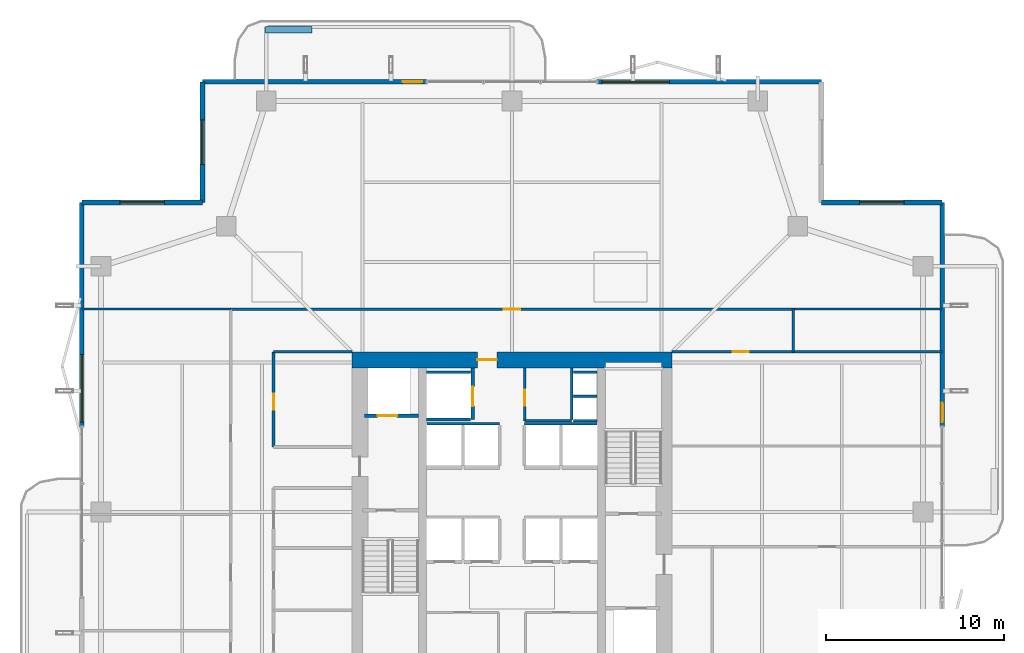
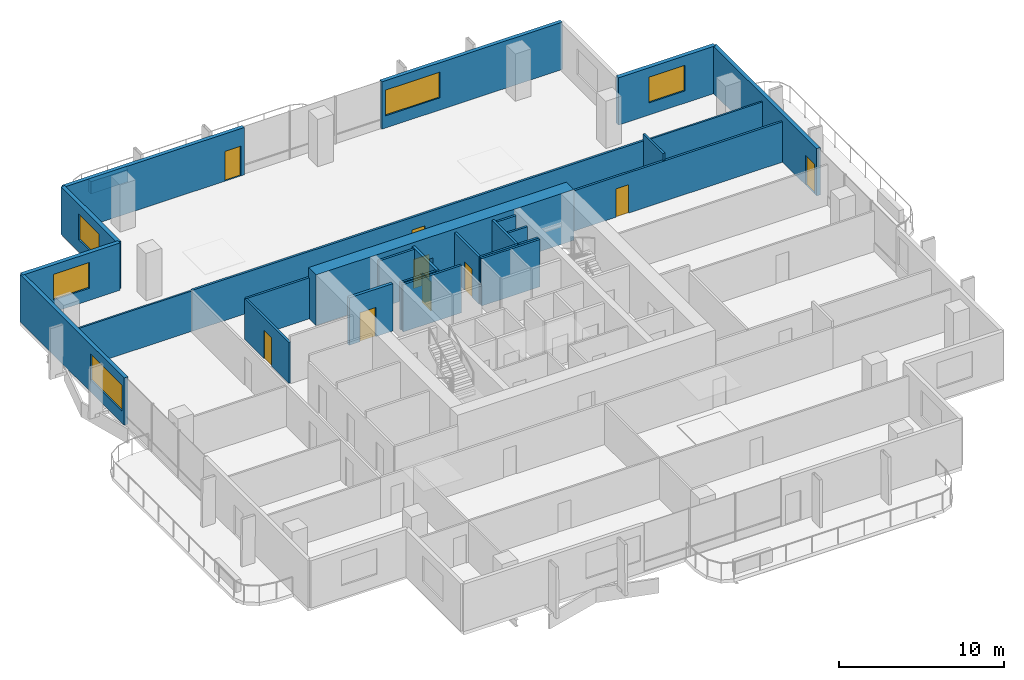
# One storey, part 20 of 24: 28 walls, 9 doors, 5 windows, 14 openings.
"""IFC4 building model written with IfcOpenShell, lengths in metres."""

from ifc_helpers import new_model, si_unit, direction, frame, frame_2d, origin, place, context, subcontext, project, spatial, rectangle, extrude, material, layer, layer_set, type_object, element, fill, save


model = new_model("IFC4")

# Units and contexts
model_context = context("Model", 3, precision=1e-05, world=origin(), true_north=direction((0.0, 1.0)))
body_context = subcontext(model_context, "Body", "Model", "MODEL_VIEW")
ifc_project = project(units=[si_unit("LENGTHUNIT", "METRE"), si_unit("AREAUNIT", "SQUARE_METRE"), si_unit("VOLUMEUNIT", "CUBIC_METRE"), si_unit("PLANEANGLEUNIT", "RADIAN"), si_unit("MASSUNIT", "GRAM", prefix="KILO")], contexts=[model_context])

# Site, building, storey
site_placement = place(None, origin())
site = spatial("IfcSite", under=ifc_project, at=site_placement, CompositionType="ELEMENT")
building_placement = place(site_placement, origin())
building = spatial("IfcBuilding", under=site, at=building_placement, Name="Belovzor Exchange Tower", CompositionType="ELEMENT")
storey_placement = place(building_placement, frame((0.0, 0.0, 179.550048828125)))
storey = spatial("IfcBuildingStorey", under=building, at=storey_placement, Name="L44", CompositionType="ELEMENT", Elevation=179.550048828125)

# Walls
ifc_material_1 = material(Name="Acoustic Plasterboard on Galvanised Studs", Category="gypsum")
ifc_layer_1 = layer(ifc_material_1, 0.1201171875)
ifc_layer_set_1 = layer_set([ifc_layer_1], Name="Acoustic Plasterboard on Galvanised Studs")
wall_type_1 = type_object("IfcWallType", Name="Acoustic Double-Stud Partition Wall 120", PredefinedType="PARTITIONING", material=ifc_layer_set_1)
wall_1_placement = place(storey_placement, frame((4.6298828125, 40.199951171875, 0.0), z_axis=(0.0, 0.0, 1.0), x_axis=(1.0, 0.0, 0.0)))
element("IfcWall", 1, at=wall_1_placement, inside=storey, type_object=wall_type_1, Name="W-P120 Partition Wall W-L44-END-NW", PredefinedType="PARTITIONING", context=body_context, shape_type="SweptSolid", body=[
    extrude(rectangle(XDim=8.3701171875, YDim=0.1201171875, at=frame_2d((4.18505859375, 0.0))), origin(), (0.0, 0.0, 1.0), 2.97998046875),
])
wall_2_placement = place(storey_placement, frame((44.60009765625, 40.199951171875, 0.0), z_axis=(0.0, 0.0, 1.0), x_axis=(1.0, 0.0, 0.0)))
element("IfcWall", 2, at=wall_2_placement, inside=storey, type_object=wall_type_1, Name="W-P120 Partition Wall W-L44-END-NE", PredefinedType="PARTITIONING", context=body_context, shape_type="SweptSolid", body=[
    extrude(rectangle(XDim=8.369873046875, YDim=0.1201171875, at=frame_2d((4.18505859375, 0.0))), origin(), (0.0, 0.0, 1.0), 2.97998046875),
])

# Wall, opening, door
ifc_material_2 = material(Name="Fire-Rated Gypsum Block and Mineral Wool", Category="gypsum")
ifc_layer_2 = layer(ifc_material_2, 0.14990234375)
ifc_layer_set_2 = layer_set([ifc_layer_2], Name="Fire-Rated Gypsum Block and Mineral Wool")
wall_type_2 = type_object("IfcWallType", Name="Fire-Rated Gypsum Block Corridor Wall 150", PredefinedType="PARTITIONING", material=ifc_layer_set_2)
wall_3_placement = place(storey_placement, frame((29.52490234375, 33.925048828125, 0.0), z_axis=(0.0, 0.0, 1.0), x_axis=(0.0, 1.0, 0.0)))
wall_3 = element("IfcWall", 3, at=wall_3_placement, inside=storey, type_object=wall_type_2, Name="W-P150 Partition Wall W-CRV-L44-W", PredefinedType="PARTITIONING", context=body_context, shape_type="SweptSolid", body=[
    extrude(rectangle(XDim=2.974853515625, YDim=0.14990234375, at=frame_2d((1.4873046875, 0.0))), origin(), (0.0, 0.0, 1.0), 3.494873046875),
])
opening_1_placement = place(wall_3_placement, frame((0.85009765625, 0.0, 0.0)))
opening_1 = element("IfcOpeningElement", 4, at=opening_1_placement, cuts=wall_3, Name="Opening D-FD60-090", PredefinedType="OPENING", context=body_context, shape_type="SweptSolid", body=[
    extrude(rectangle(XDim=0.89990234375, YDim=2.10009765625, at=frame_2d((0.449951171875, 1.050048828125))), frame((0.0, 0.0849609375, 0.0), z_axis=(0.0, -1.0, 0.0), x_axis=(1.0, 0.0, 0.0)), (0.0, 0.0, 1.0), 0.169921875),
])
ifc_material_3 = material(Name="Acoustic Timber Fire Leaf", Category="wood")
door_type_1 = type_object("IfcDoorType", Name="Core Service & Restroom Fire Door 900x2100", OperationType="NOTDEFINED", PredefinedType="DOOR", material=ifc_material_3)
door_1_placement = place(opening_1_placement, origin())
door_1 = element("IfcDoor", 5, at=door_1_placement, inside=storey, type_object=door_type_1, Name="D-FD60-090 Core Service & Restroom Fire Door 900x2100", OperationType="SINGLE_SWING_LEFT", OverallHeight=2.10009765625, OverallWidth=0.89990234375, PredefinedType="DOOR", context=body_context, shape_type="SweptSolid", body=[
    extrude(rectangle(XDim=0.89990234375, YDim=2.10009765625, at=frame_2d((0.449951171875, 1.050048828125))), frame((0.0, 0.02490234375, 0.0), z_axis=(0.0, -1.0, 0.0), x_axis=(1.0, 0.0, 0.0)), (0.0, 0.0, 1.0), 0.050048828125),
])
fill(opening_1, door_1)

# Walls
wall_4_placement = place(storey_placement, frame((29.52490234375, 33.925048828125, 0.0), z_axis=(0.0, 0.0, 1.0), x_axis=(1.0, 0.0, 0.0)))
element("IfcWall", 6, at=wall_4_placement, inside=storey, type_object=wall_type_2, Name="W-P150 Partition Wall W-CRV-L44-S", PredefinedType="PARTITIONING", context=body_context, shape_type="SweptSolid", body=[
    extrude(rectangle(XDim=2.625, YDim=0.14990234375, at=frame_2d((1.3125, 0.0))), origin(), (0.0, 0.0, 1.0), 3.494873046875),
])
wall_5_placement = place(storey_placement, frame((15.39990234375, 37.800048828125, 0.0), z_axis=(0.0, 0.0, 1.0), x_axis=(1.0, 0.0, 0.0)))
element("IfcWall", 7, at=wall_5_placement, inside=storey, type_object=wall_type_2, Name="W-P150 Partition Wall W-L44-INW-N", PredefinedType="PARTITIONING", context=body_context, shape_type="SweptSolid", body=[
    extrude(rectangle(XDim=4.400146484375, YDim=0.14990234375, at=frame_2d((2.2001953125, 0.0))), origin(), (0.0, 0.0, 1.0), 3.030029296875),
])

# Wall, opening, door
wall_6_placement = place(storey_placement, frame((15.39990234375, 32.449951171875, 0.0), z_axis=(0.0, 0.0, 1.0), x_axis=(0.0, 1.0, 0.0)))
wall_6 = element("IfcWall", 8, at=wall_6_placement, inside=storey, type_object=wall_type_2, Name="W-P150 Partition Wall W-L44-WIE-N", PredefinedType="PARTITIONING", context=body_context, shape_type="SweptSolid", body=[
    extrude(rectangle(XDim=5.35009765625, YDim=0.14990234375, at=frame_2d((2.675048828125, 0.0))), origin(), (0.0, 0.0, 1.0), 3.030029296875),
])
opening_2_placement = place(wall_6_placement, frame((2.10009765625, 0.0, 0.0)))
opening_2 = element("IfcOpeningElement", 9, at=opening_2_placement, cuts=wall_6, Name="Opening D-FD60-090", PredefinedType="OPENING", context=body_context, shape_type="SweptSolid", body=[
    extrude(rectangle(XDim=0.89990234375, YDim=2.10009765625, at=frame_2d((0.449951171875, 1.050048828125))), frame((0.0, 0.0849609375, 0.0), z_axis=(0.0, -1.0, 0.0), x_axis=(1.0, 0.0, 0.0)), (0.0, 0.0, 1.0), 0.169921875),
])
door_2_placement = place(opening_2_placement, origin())
door_2 = element("IfcDoor", 10, at=door_2_placement, inside=storey, type_object=door_type_1, Name="D-FD60-090 Core Service & Restroom Fire Door 900x2100", OperationType="SINGLE_SWING_LEFT", OverallHeight=2.10009765625, OverallWidth=0.89990234375, PredefinedType="DOOR", context=body_context, shape_type="SweptSolid", body=[
    extrude(rectangle(XDim=0.89990234375, YDim=2.10009765625, at=frame_2d((0.449951171875, 1.050048828125))), frame((0.0, 0.02490234375, 0.0), z_axis=(0.0, -1.0, 0.0), x_axis=(1.0, 0.0, 0.0)), (0.0, 0.0, 1.0), 0.050048828125),
])
fill(opening_2, door_2)

# Wall
wall_7_placement = place(storey_placement, frame((44.60009765625, 37.800048828125, 0.0), z_axis=(0.0, 0.0, 1.0), x_axis=(0.0, 1.0, 0.0)))
element("IfcWall", 11, at=wall_7_placement, inside=storey, type_object=wall_type_2, Name="W-P150 Partition Wall W-L44-END-EN", PredefinedType="PARTITIONING", context=body_context, shape_type="SweptSolid", body=[
    extrude(rectangle(XDim=2.39990234375, YDim=0.14990234375, at=frame_2d((1.199951171875, 0.0))), origin(), (0.0, 0.0, 1.0), 3.494873046875),
])

# Wall, opening, door
wall_8_placement = place(storey_placement, frame((37.800048828125, 37.800048828125, 0.0), z_axis=(0.0, 0.0, 1.0), x_axis=(1.0, 0.0, 0.0)))
wall_8 = element("IfcWall", 12, at=wall_8_placement, inside=storey, type_object=wall_type_2, Name="W-P150 Partition Wall W-L44-CN-IN", PredefinedType="PARTITIONING", context=body_context, shape_type="SweptSolid", body=[
    extrude(rectangle(XDim=15.169921875, YDim=0.14990234375, at=frame_2d((7.5849609375, 0.0))), origin(), (0.0, 0.0, 1.0), 2.97998046875),
])
opening_3_placement = place(wall_8_placement, frame((3.39990234375, 0.0, 0.0)))
opening_3 = element("IfcOpeningElement", 13, at=opening_3_placement, cuts=wall_8, Name="Opening D-INT-090", PredefinedType="OPENING", context=body_context, shape_type="SweptSolid", body=[
    extrude(rectangle(XDim=0.89990234375, YDim=2.10009765625, at=frame_2d((0.449951171875, 1.050048828125))), frame((0.0, 0.0849609375, 0.0), z_axis=(0.0, -1.0, 0.0), x_axis=(1.0, 0.0, 0.0)), (0.0, 0.0, 1.0), 0.169921875),
])
ifc_material_4 = material(Name="Veneered Hardwood Acoustic Leaf", Category="wood")
door_type_2 = type_object("IfcDoorType", Name="Trading Suite Acoustic Single Door 900x2100", OperationType="NOTDEFINED", PredefinedType="DOOR", material=ifc_material_4)
door_3_placement = place(opening_3_placement, origin())
door_3 = element("IfcDoor", 14, at=door_3_placement, inside=storey, type_object=door_type_2, Name="D-INT-090 Trading Suite Acoustic Single Door 900x2100", OperationType="SINGLE_SWING_RIGHT", OverallHeight=2.10009765625, OverallWidth=0.89990234375, PredefinedType="DOOR", context=body_context, shape_type="SweptSolid", body=[
    extrude(rectangle(XDim=0.89990234375, YDim=2.10009765625, at=frame_2d((0.449951171875, 1.050048828125))), frame((0.0, 0.02490234375, 0.0), z_axis=(0.0, -1.0, 0.0), x_axis=(1.0, 0.0, 0.0)), (0.0, 0.0, 1.0), 0.050048828125),
])
fill(opening_3, door_3)

wall_9_placement = place(storey_placement, frame((13.0, 40.199951171875, 0.0), z_axis=(0.0, 0.0, 1.0), x_axis=(1.0, 0.0, 0.0)))
wall_9 = element("IfcWall", 15, at=wall_9_placement, inside=storey, type_object=wall_type_2, Name="W-P150 Partition Wall W-L44-CN", PredefinedType="PARTITIONING", context=body_context, shape_type="SweptSolid", body=[
    extrude(rectangle(XDim=31.60009765625, YDim=0.14990234375, at=frame_2d((15.800048828125, 0.0))), origin(), (0.0, 0.0, 1.0), 3.030029296875),
])
opening_4_placement = place(wall_9_placement, frame((15.35009765625, 0.0, 0.0)))
opening_4 = element("IfcOpeningElement", 16, at=opening_4_placement, cuts=wall_9, Name="Opening D-INT-090", PredefinedType="OPENING", context=body_context, shape_type="SweptSolid", body=[
    extrude(rectangle(XDim=0.89990234375, YDim=2.10009765625, at=frame_2d((0.449951171875, 1.050048828125))), frame((0.0, 0.0849609375, 0.0), z_axis=(0.0, -1.0, 0.0), x_axis=(1.0, 0.0, 0.0)), (0.0, 0.0, 1.0), 0.169921875),
])
door_4_placement = place(opening_4_placement, origin())
door_4 = element("IfcDoor", 17, at=door_4_placement, inside=storey, type_object=door_type_2, Name="D-INT-090 Trading Suite Acoustic Single Door 900x2100", OperationType="SINGLE_SWING_LEFT", OverallHeight=2.10009765625, OverallWidth=0.89990234375, PredefinedType="DOOR", context=body_context, shape_type="SweptSolid", body=[
    extrude(rectangle(XDim=0.89990234375, YDim=2.10009765625, at=frame_2d((0.449951171875, 1.050048828125))), frame((0.0, 0.02490234375, 0.0), z_axis=(0.0, -1.0, 0.0), x_axis=(1.0, 0.0, 0.0)), (0.0, 0.0, 1.0), 0.050048828125),
])
fill(opening_4, door_4)

# Wall, opening, window
ifc_material_5 = material(Name="Precast concrete C40/50", Category="concrete")
ifc_layer_3 = layer(ifc_material_5, 0.280029296875)
ifc_layer_set_3 = layer_set([ifc_layer_3], Name="Precast concrete C40/50")
wall_type_3 = type_object("IfcWallType", Name="Precast Concrete Notched Corner Frame Wall 280", PredefinedType="SOLIDWALL", material=ifc_layer_set_3)
wall_10_placement = place(storey_placement, frame((4.6298828125, 46.199951171875, 0.0), z_axis=(0.0, 0.0, 1.0), x_axis=(1.0, 0.0, 0.0)))
wall_10 = element("IfcWall", 18, at=wall_10_placement, inside=storey, type_object=wall_type_3, Name="W-CRN280 Precast Concrete Notched Corner Frame Wall 280 L44", PredefinedType="SOLIDWALL", context=body_context, shape_type="SweptSolid", body=[
    extrude(rectangle(XDim=6.77001953125, YDim=0.280029296875, at=frame_2d((3.385009765625, 0.0))), origin(), (0.0, 0.0, 1.0), 3.494873046875),
])
opening_5_placement = place(wall_10_placement, frame((2.135009765625, 0.0, 0.89990234375)))
opening_5 = element("IfcOpeningElement", 19, at=opening_5_placement, cuts=wall_10, Name="Opening WN-CRN250", PredefinedType="OPENING", context=body_context, shape_type="SweptSolid", body=[
    extrude(rectangle(XDim=2.5, YDim=1.89990234375, at=frame_2d((1.25, 0.949951171875))), frame((0.0, 0.14990234375, 0.0), z_axis=(0.0, -1.0, 0.0), x_axis=(1.0, 0.0, 0.0)), (0.0, 0.0, 1.0), 0.300048828125),
])
ifc_material_6 = material(Name="Thermally Broken Aluminium and Triple Glazing", Category="aluminium")
window_type_1 = type_object("IfcWindowType", Name="Streamline Moderne Corner Wrap Ribbon Window 2500x1900", PartitioningType="SINGLE_PANEL", PredefinedType="WINDOW", material=ifc_material_6)
window_1_placement = place(opening_5_placement, origin())
window_1 = element("IfcWindow", 20, at=window_1_placement, inside=storey, type_object=window_type_1, Name="WN-CRN250 Streamline Moderne Corner Wrap Ribbon Window 2500x1900", OverallHeight=1.89990234375, OverallWidth=2.5, PartitioningType="SINGLE_PANEL", PredefinedType="WINDOW", context=body_context, shape_type="SweptSolid", body=[
    extrude(rectangle(XDim=2.5, YDim=1.89990234375, at=frame_2d((1.25, 0.949951171875))), frame((0.0, 0.030029296875, 0.0), z_axis=(0.0, -1.0, 0.0), x_axis=(1.0, 0.0, 0.0)), (0.0, 0.0, 1.0), 0.06005859375),
])
fill(opening_5, window_1)

wall_11_placement = place(storey_placement, frame((11.39990234375, 46.199951171875, 0.0), z_axis=(0.0, 0.0, 1.0), x_axis=(0.0, 1.0, 0.0)))
wall_11 = element("IfcWall", 21, at=wall_11_placement, inside=storey, type_object=wall_type_3, Name="W-CRN280 Precast Concrete Notched Corner Frame Wall 280 L44", PredefinedType="SOLIDWALL", context=body_context, shape_type="SweptSolid", body=[
    extrude(rectangle(XDim=6.77001953125, YDim=0.280029296875, at=frame_2d((3.385009765625, 0.0))), origin(), (0.0, 0.0, 1.0), 3.494873046875),
])
opening_6_placement = place(wall_11_placement, frame((2.135009765625, 0.0, 0.89990234375)))
opening_6 = element("IfcOpeningElement", 22, at=opening_6_placement, cuts=wall_11, Name="Opening WN-CRN250", PredefinedType="OPENING", context=body_context, shape_type="SweptSolid", body=[
    extrude(rectangle(XDim=2.5, YDim=1.89990234375, at=frame_2d((1.25, 0.949951171875))), frame((0.0, 0.14990234375, 0.0), z_axis=(0.0, -1.0, 0.0), x_axis=(1.0, 0.0, 0.0)), (0.0, 0.0, 1.0), 0.300048828125),
])
window_2_placement = place(opening_6_placement, origin())
window_2 = element("IfcWindow", 23, at=window_2_placement, inside=storey, type_object=window_type_1, Name="WN-CRN250 Streamline Moderne Corner Wrap Ribbon Window 2500x1900", OverallHeight=1.89990234375, OverallWidth=2.5, PartitioningType="SINGLE_PANEL", PredefinedType="WINDOW", context=body_context, shape_type="SweptSolid", body=[
    extrude(rectangle(XDim=2.5, YDim=1.89990234375, at=frame_2d((1.25, 0.949951171875))), frame((0.0, 0.030029296875, 0.0), z_axis=(0.0, -1.0, 0.0), x_axis=(1.0, 0.0, 0.0)), (0.0, 0.0, 1.0), 0.06005859375),
])
fill(opening_6, window_2)

wall_12_placement = place(storey_placement, frame((46.199951171875, 46.199951171875, 0.0), z_axis=(0.0, 0.0, 1.0), x_axis=(1.0, 0.0, 0.0)))
wall_12 = element("IfcWall", 24, at=wall_12_placement, inside=storey, type_object=wall_type_3, Name="W-CRN280 Precast Concrete Notched Corner Frame Wall 280 L44", PredefinedType="SOLIDWALL", context=body_context, shape_type="SweptSolid", body=[
    extrude(rectangle(XDim=6.77001953125, YDim=0.280029296875, at=frame_2d((3.385009765625, 0.0))), origin(), (0.0, 0.0, 1.0), 3.494873046875),
])
opening_7_placement = place(wall_12_placement, frame((2.135009765625, 0.0, 0.89990234375)))
opening_7 = element("IfcOpeningElement", 25, at=opening_7_placement, cuts=wall_12, Name="Opening WN-CRN250", PredefinedType="OPENING", context=body_context, shape_type="SweptSolid", body=[
    extrude(rectangle(XDim=2.5, YDim=1.89990234375, at=frame_2d((1.25, 0.949951171875))), frame((0.0, 0.14990234375, 0.0), z_axis=(0.0, -1.0, 0.0), x_axis=(1.0, 0.0, 0.0)), (0.0, 0.0, 1.0), 0.300048828125),
])
window_3_placement = place(opening_7_placement, origin())
window_3 = element("IfcWindow", 26, at=window_3_placement, inside=storey, type_object=window_type_1, Name="WN-CRN250 Streamline Moderne Corner Wrap Ribbon Window 2500x1900", OverallHeight=1.89990234375, OverallWidth=2.5, PartitioningType="SINGLE_PANEL", PredefinedType="WINDOW", context=body_context, shape_type="SweptSolid", body=[
    extrude(rectangle(XDim=2.5, YDim=1.89990234375, at=frame_2d((1.25, 0.949951171875))), frame((0.0, 0.030029296875, 0.0), z_axis=(0.0, -1.0, 0.0), x_axis=(1.0, 0.0, 0.0)), (0.0, 0.0, 1.0), 0.06005859375),
])
fill(opening_7, window_3)

# Wall, opening, door
ifc_material_7 = material(Name="Precast concrete C40/50", Category="concrete")
ifc_layer_4 = layer(ifc_material_7, 0.260009765625)
ifc_layer_set_4 = layer_set([ifc_layer_4], Name="Precast concrete C40/50")
wall_type_4 = type_object("IfcWallType", Name="Precast Concrete Perimeter Loggia Frame Wall 260", PredefinedType="SOLIDWALL", material=ifc_layer_set_4)
wall_13_placement = place(storey_placement, frame((11.39990234375, 52.969970703125, 0.0), z_axis=(0.0, 0.0, 1.0), x_axis=(1.0, 0.0, 0.0)))
wall_13 = element("IfcWall", 27, at=wall_13_placement, inside=storey, type_object=wall_type_4, Name="W-EXT260 Precast Concrete Perimeter Loggia Frame Wall 260 L44", PredefinedType="SOLIDWALL", context=body_context, shape_type="SweptSolid", body=[
    extrude(rectangle(XDim=12.60009765625, YDim=0.260009765625, at=frame_2d((6.300048828125, 0.0))), origin(), (0.0, 0.0, 1.0), 3.494873046875),
])
opening_8_placement = place(wall_13_placement, frame((11.25, 0.0, 0.0)))
opening_8 = element("IfcOpeningElement", 28, at=opening_8_placement, cuts=wall_13, Name="Opening D-BAL110", PredefinedType="OPENING", context=body_context, shape_type="SweptSolid", body=[
    extrude(rectangle(XDim=1.10009765625, YDim=2.199951171875, at=frame_2d((0.550048828125, 1.10009765625))), frame((0.0, 0.139892578125, 0.0), z_axis=(0.0, -1.0, 0.0), x_axis=(1.0, 0.0, 0.0)), (0.0, 0.0, 1.0), 0.280029296875),
])
ifc_material_8 = material(Name="Thermally Broken Anodised Aluminium and Laminated Glass", Category="aluminium")
door_type_3 = type_object("IfcDoorType", Name="Planted Loggia Terrace Glazed Door 1100x2200", OperationType="SINGLE_SWING_LEFT", PredefinedType="DOOR", material=ifc_material_8)
door_5_placement = place(opening_8_placement, origin())
door_5 = element("IfcDoor", 29, at=door_5_placement, inside=storey, type_object=door_type_3, Name="D-BAL110 Balcony Terrace Door L44 N", OperationType="SINGLE_SWING_RIGHT", OverallHeight=2.199951171875, OverallWidth=1.10009765625, PredefinedType="DOOR", context=body_context, shape_type="SweptSolid", body=[
    extrude(rectangle(XDim=1.10009765625, YDim=2.199951171875, at=frame_2d((0.550048828125, 1.10009765625))), frame((0.0, 0.02490234375, 0.0), z_axis=(0.0, -1.0, 0.0), x_axis=(1.0, 0.0, 0.0)), (0.0, 0.0, 1.0), 0.050048828125),
])
fill(opening_8, door_5)

# Wall, opening, window
wall_14_placement = place(storey_placement, frame((33.60009765625, 52.969970703125, 0.0), z_axis=(0.0, 0.0, 1.0), x_axis=(1.0, 0.0, 0.0)))
wall_14 = element("IfcWall", 30, at=wall_14_placement, inside=storey, type_object=wall_type_4, Name="W-EXT260 Precast Concrete Perimeter Loggia Frame Wall 260 L44", PredefinedType="SOLIDWALL", context=body_context, shape_type="SweptSolid", body=[
    extrude(rectangle(XDim=12.599853515625, YDim=0.260009765625, at=frame_2d((6.2998046875, 0.0))), origin(), (0.0, 0.0, 1.0), 3.494873046875),
])
opening_9_placement = place(wall_14_placement, frame((0.25, 0.0, 0.89990234375)))
opening_9 = element("IfcOpeningElement", 31, at=opening_9_placement, cuts=wall_14, Name="Opening WN-RIB380", PredefinedType="OPENING", context=body_context, shape_type="SweptSolid", body=[
    extrude(rectangle(XDim=3.800048828125, YDim=1.89990234375, at=frame_2d((1.89990234375, 0.949951171875))), frame((0.0, 0.139892578125, 0.0), z_axis=(0.0, -1.0, 0.0), x_axis=(1.0, 0.0, 0.0)), (0.0, 0.0, 1.0), 0.280029296875),
])
ifc_material_9 = material(Name="Thermally Broken Aluminium and Triple Glazing", Category="aluminium")
window_type_2 = type_object("IfcWindowType", Name="Streamline Moderne Horizontal Ribbon Window 3800x1900", PartitioningType="SINGLE_PANEL", PredefinedType="WINDOW", material=ifc_material_9)
window_4_placement = place(opening_9_placement, origin())
window_4 = element("IfcWindow", 32, at=window_4_placement, inside=storey, type_object=window_type_2, Name="WN-RIB380 Streamline Moderne Horizontal Ribbon Window 3800x1900", OverallHeight=1.89990234375, OverallWidth=3.800048828125, PartitioningType="SINGLE_PANEL", PredefinedType="WINDOW", context=body_context, shape_type="SweptSolid", body=[
    extrude(rectangle(XDim=3.800048828125, YDim=1.89990234375, at=frame_2d((1.89990234375, 0.949951171875))), frame((0.0, 0.030029296875, 0.0), z_axis=(0.0, -1.0, 0.0), x_axis=(1.0, 0.0, 0.0)), (0.0, 0.0, 1.0), 0.06005859375),
])
fill(opening_9, window_4)

wall_15_placement = place(storey_placement, frame((4.6298828125, 33.60009765625, 0.0), z_axis=(0.0, 0.0, 1.0), x_axis=(0.0, 1.0, 0.0)))
wall_15 = element("IfcWall", 33, at=wall_15_placement, inside=storey, type_object=wall_type_4, Name="W-EXT260 Precast Concrete Perimeter Loggia Frame Wall 260 L44", PredefinedType="SOLIDWALL", context=body_context, shape_type="SweptSolid", body=[
    extrude(rectangle(XDim=12.599853515625, YDim=0.260009765625, at=frame_2d((6.2998046875, 0.0))), origin(), (0.0, 0.0, 1.0), 3.494873046875),
])
opening_10_placement = place(wall_15_placement, frame((0.25, 0.0, 0.89990234375)))
opening_10 = element("IfcOpeningElement", 34, at=opening_10_placement, cuts=wall_15, Name="Opening WN-RIB380", PredefinedType="OPENING", context=body_context, shape_type="SweptSolid", body=[
    extrude(rectangle(XDim=3.800048828125, YDim=1.89990234375, at=frame_2d((1.89990234375, 0.949951171875))), frame((0.0, 0.139892578125, 0.0), z_axis=(0.0, -1.0, 0.0), x_axis=(1.0, 0.0, 0.0)), (0.0, 0.0, 1.0), 0.280029296875),
])
window_5_placement = place(opening_10_placement, origin())
window_5 = element("IfcWindow", 35, at=window_5_placement, inside=storey, type_object=window_type_2, Name="WN-RIB380 Streamline Moderne Horizontal Ribbon Window 3800x1900", OverallHeight=1.89990234375, OverallWidth=3.800048828125, PartitioningType="SINGLE_PANEL", PredefinedType="WINDOW", context=body_context, shape_type="SweptSolid", body=[
    extrude(rectangle(XDim=3.800048828125, YDim=1.89990234375, at=frame_2d((1.89990234375, 0.949951171875))), frame((0.0, 0.030029296875, 0.0), z_axis=(0.0, -1.0, 0.0), x_axis=(1.0, 0.0, 0.0)), (0.0, 0.0, 1.0), 0.06005859375),
])
fill(opening_10, window_5)

# Wall, opening, door
wall_16_placement = place(storey_placement, frame((52.969970703125, 46.199951171875, 0.0), z_axis=(0.0, 0.0, 1.0), x_axis=(0.0, -1.0, 0.0)))
wall_16 = element("IfcWall", 36, at=wall_16_placement, inside=storey, type_object=wall_type_4, Name="W-EXT260 Precast Concrete Perimeter Loggia Frame Wall 260 L44", PredefinedType="SOLIDWALL", context=body_context, shape_type="SweptSolid", body=[
    extrude(rectangle(XDim=12.599853515625, YDim=0.260009765625, at=frame_2d((6.2998046875, 0.0))), origin(), (0.0, 0.0, 1.0), 3.494873046875),
])
opening_11_placement = place(wall_16_placement, frame((11.25, 0.0, 0.0)))
opening_11 = element("IfcOpeningElement", 37, at=opening_11_placement, cuts=wall_16, Name="Opening D-BAL110", PredefinedType="OPENING", context=body_context, shape_type="SweptSolid", body=[
    extrude(rectangle(XDim=1.10009765625, YDim=2.199951171875, at=frame_2d((0.550048828125, 1.10009765625))), frame((0.0, 0.139892578125, 0.0), z_axis=(0.0, -1.0, 0.0), x_axis=(1.0, 0.0, 0.0)), (0.0, 0.0, 1.0), 0.280029296875),
])
door_6_placement = place(opening_11_placement, origin())
door_6 = element("IfcDoor", 38, at=door_6_placement, inside=storey, type_object=door_type_3, Name="D-BAL110 Balcony Terrace Door L44 E", OperationType="SINGLE_SWING_LEFT", OverallHeight=2.199951171875, OverallWidth=1.10009765625, PredefinedType="DOOR", context=body_context, shape_type="SweptSolid", body=[
    extrude(rectangle(XDim=1.10009765625, YDim=2.199951171875, at=frame_2d((0.550048828125, 1.10009765625))), frame((0.0, 0.02490234375, 0.0), z_axis=(0.0, -1.0, 0.0), x_axis=(1.0, 0.0, 0.0)), (0.0, 0.0, 1.0), 0.050048828125),
])
fill(opening_11, door_6)

# Walls
ifc_material_10 = material(Name="Precast concrete C40/50", Category="concrete")
ifc_layer_5 = layer(ifc_material_10, 0.35009765625)
ifc_layer_set_5 = layer_set([ifc_layer_5], Name="Precast concrete C40/50")
wall_type_5 = type_object("IfcWallType", Name="Precast Concrete Structural Tree Planter Trough 350", PredefinedType="PARAPET", material=ifc_layer_set_5)
wall_17_placement = place(storey_placement, frame((14.949951171875, 55.89990234375, 0.0), z_axis=(0.0, 0.0, 1.0), x_axis=(1.0, 0.0, 0.0)))
element("IfcWall", 39, at=wall_17_placement, inside=storey, type_object=wall_type_5, Name="PT-350 Precast Concrete Structural Tree Planter Trough 350 L44", PredefinedType="PARAPET", context=body_context, shape_type="SweptSolid", body=[
    extrude(rectangle(XDim=2.60009765625, YDim=0.35009765625, at=frame_2d((1.300048828125, 0.0))), origin(), (0.0, 0.0, 1.0), 0.89990234375),
])
ifc_material_11 = material(Name="Concrete C50/60", Category="concrete")
ifc_layer_6 = layer(ifc_material_11, 0.14990234375)
ifc_layer_set_6 = layer_set([ifc_layer_6], Name="Concrete C50/60")
wall_type_6 = type_object("IfcWallType", Name="Reinforced Concrete Core Riser Shear Wall 150", PredefinedType="SHEAR", material=ifc_layer_set_6)
wall_18_placement = place(storey_placement, frame((32.14990234375, 34.0, 0.0), z_axis=(0.0, 0.0, 1.0), x_axis=(0.0, 1.0, 0.0)))
element("IfcWall", 40, at=wall_18_placement, inside=storey, type_object=wall_type_6, Name="W-C150S Core Shaft Wall W-RSR-L44-E", PredefinedType="SHEAR", context=body_context, shape_type="SweptSolid", body=[
    extrude(rectangle(XDim=2.89990234375, YDim=0.14990234375, at=frame_2d((1.449951171875, 0.0))), origin(), (0.0, 0.0, 1.0), 3.494873046875),
])
for number, where, z_axis, x_axis, name in (
    (41, (32.25, 33.925048828125, 0.0), (0.0, 0.0, 1.0), (1.0, 0.0, 0.0), "W-C150S Core Shaft Wall W-RSR-L44-S"),
    (42, (32.25, 35.300048828125, 0.0), (0.0, 0.0, 1.0), (1.0, 0.0, 0.0), "W-C150S Core Shaft Wall W-RSR-L44-M"),
):
    element("IfcWall", number, at=place(storey_placement, frame(where, z_axis=z_axis, x_axis=x_axis)), inside=storey, type_object=wall_type_6, Name=name, PredefinedType="SHEAR", context=body_context, shape_type="SweptSolid", body=[
        extrude(rectangle(XDim=1.330078125, YDim=0.14990234375, at=frame_2d((0.6650390625, 0.0))), origin(), (0.0, 0.0, 1.0), 3.494873046875),
    ])
for number, where, z_axis, x_axis, name in (
    (43, (24.0, 34.0, 0.0), (0.0, 0.0, 1.0), (1.0, 0.0, 0.0), "W-C150S Core Shaft Wall W-SH-L44-SL-01S"),
    (44, (24.0, 36.64990234375, 0.0), (0.0, 0.0, 1.0), (1.0, 0.0, 0.0), "W-C150S Core Shaft Wall W-SH-L44-SL-01N"),
):
    element("IfcWall", number, at=place(storey_placement, frame(where, z_axis=z_axis, x_axis=x_axis)), inside=storey, type_object=wall_type_6, Name=name, PredefinedType="SHEAR", context=body_context, shape_type="SweptSolid", body=[
        extrude(rectangle(XDim=2.47998046875, YDim=0.14990234375, at=frame_2d((1.239990234375, 0.0))), origin(), (0.0, 0.0, 1.0), 3.494873046875),
    ])
wall_19_placement = place(storey_placement, frame((32.25, 36.64990234375, 0.0), z_axis=(0.0, 0.0, 1.0), x_axis=(1.0, 0.0, 0.0)))
element("IfcWall", 45, at=wall_19_placement, inside=storey, type_object=wall_type_6, Name="W-C150S Core Shaft Wall W-RSR-L44-N", PredefinedType="SHEAR", context=body_context, shape_type="SweptSolid", body=[
    extrude(rectangle(XDim=1.330078125, YDim=0.14990234375, at=frame_2d((0.6650390625, 0.0))), origin(), (0.0, 0.0, 1.0), 3.494873046875),
])
for number, where, z_axis, x_axis, name in (
    (46, (24.02001953125, 33.760009765625, 0.0), (0.0, 0.0, 1.0), (1.0, 0.0, 0.0), "W-C150S Core Shaft Wall W-SHB-L44-PLH-NW"),
    (47, (29.5, 33.760009765625, 0.0), (0.0, 0.0, 1.0), (1.0, 0.0, 0.0), "W-C150S Core Shaft Wall W-SHB-L44-PLH-NE"),
):
    element("IfcWall", number, at=place(storey_placement, frame(where, z_axis=z_axis, x_axis=x_axis)), inside=storey, type_object=wall_type_6, Name=name, PredefinedType="SHEAR", context=body_context, shape_type="SweptSolid", body=[
        extrude(rectangle(XDim=4.080078125, YDim=0.14990234375, at=frame_2d((2.0400390625, 0.0))), origin(), (0.0, 0.0, 1.0), 3.494873046875),
    ])

# Wall, opening, door
ifc_material_12 = material(Name="Concrete C50/60", Category="concrete")
ifc_layer_7 = layer(ifc_material_12, 0.199951171875)
ifc_layer_set_7 = layer_set([ifc_layer_7], Name="Concrete C50/60")
wall_type_7 = type_object("IfcWallType", Name="Reinforced Concrete Core Shaft Shear Wall 200", PredefinedType="SHEAR", material=ifc_layer_set_7)
wall_20_placement = place(storey_placement, frame((20.5, 34.199951171875, 0.0), z_axis=(0.0, 0.0, 1.0), x_axis=(1.0, 0.0, 0.0)))
wall_20 = element("IfcWall", 48, at=wall_20_placement, inside=storey, type_object=wall_type_7, Name="W-C200S Core Shaft Wall W-SH-L44-FFL-01", PredefinedType="SHEAR", context=body_context, shape_type="SweptSolid", body=[
    extrude(rectangle(XDim=3.050048828125, YDim=0.199951171875, at=frame_2d((1.52490234375, 0.0))), origin(), (0.0, 0.0, 1.0), 3.494873046875),
])
opening_12_placement = place(wall_20_placement, frame((0.75, 0.0, 0.0)))
opening_12 = element("IfcOpeningElement", 49, at=opening_12_placement, cuts=wall_20, Name="Opening LD-110", PredefinedType="OPENING", context=body_context, shape_type="SweptSolid", body=[
    extrude(rectangle(XDim=1.10009765625, YDim=2.14990234375, at=frame_2d((0.550048828125, 1.074951171875))), frame((0.0, 0.10986328125, 0.0), z_axis=(0.0, -1.0, 0.0), x_axis=(1.0, 0.0, 0.0)), (0.0, 0.0, 1.0), 0.219970703125),
])
ifc_material_13 = material(Name="Stainless Steel Grade 304", Category="steel")
door_type_4 = type_object("IfcDoorType", Name="Automated Stainless Steel Lift Landing Door 1100x2150", OperationType="SLIDING_TO_RIGHT", PredefinedType="DOOR", material=ifc_material_13)
door_7_placement = place(opening_12_placement, origin())
door_7 = element("IfcDoor", 50, at=door_7_placement, inside=storey, type_object=door_type_4, Name="LD-110 Automated Stainless Steel Lift Landing Door 1100x2150", OperationType="SLIDING_TO_RIGHT", OverallHeight=2.14990234375, OverallWidth=1.10009765625, PredefinedType="DOOR", context=body_context, shape_type="SweptSolid", body=[
    extrude(rectangle(XDim=1.10009765625, YDim=2.14990234375, at=frame_2d((0.550048828125, 1.074951171875))), frame((0.0, 0.02490234375, 0.0), z_axis=(0.0, -1.0, 0.0), x_axis=(1.0, 0.0, 0.0)), (0.0, 0.0, 1.0), 0.050048828125),
])
fill(opening_12, door_7)

wall_21_placement = place(storey_placement, frame((26.60009765625, 34.0, 0.0), z_axis=(0.0, 0.0, 1.0), x_axis=(0.0, 1.0, 0.0)))
wall_21 = element("IfcWall", 51, at=wall_21_placement, inside=storey, type_object=wall_type_7, Name="W-C200S Core Shaft Wall W-SH-L44-SL-01", PredefinedType="SHEAR", context=body_context, shape_type="SweptSolid", body=[
    extrude(rectangle(XDim=2.89990234375, YDim=0.199951171875, at=frame_2d((1.449951171875, 0.0))), origin(), (0.0, 0.0, 1.0), 3.494873046875),
])
opening_13_placement = place(wall_21_placement, frame((0.75, 0.0, 0.0)))
opening_13 = element("IfcOpeningElement", 52, at=opening_13_placement, cuts=wall_21, Name="Opening LD-110", PredefinedType="OPENING", context=body_context, shape_type="SweptSolid", body=[
    extrude(rectangle(XDim=1.10009765625, YDim=2.14990234375, at=frame_2d((0.550048828125, 1.074951171875))), frame((0.0, 0.10986328125, 0.0), z_axis=(0.0, -1.0, 0.0), x_axis=(1.0, 0.0, 0.0)), (0.0, 0.0, 1.0), 0.219970703125),
])
door_8_placement = place(opening_13_placement, origin())
door_8 = element("IfcDoor", 53, at=door_8_placement, inside=storey, type_object=door_type_4, Name="LD-110 Automated Stainless Steel Lift Landing Door 1100x2150", OperationType="SLIDING_TO_RIGHT", OverallHeight=2.14990234375, OverallWidth=1.10009765625, PredefinedType="DOOR", context=body_context, shape_type="SweptSolid", body=[
    extrude(rectangle(XDim=1.10009765625, YDim=2.14990234375, at=frame_2d((0.550048828125, 1.074951171875))), frame((0.0, 0.02490234375, 0.0), z_axis=(0.0, -1.0, 0.0), x_axis=(1.0, 0.0, 0.0)), (0.0, 0.0, 1.0), 0.050048828125),
])
fill(opening_13, door_8)

ifc_material_14 = material(Name="Concrete C60/75", Category="concrete")
ifc_layer_8 = layer(ifc_material_14, 0.89990234375)
ifc_layer_set_8 = layer_set([ifc_layer_8], Name="Concrete C60/75")
wall_type_8 = type_object("IfcWallType", Name="Reinforced Concrete Core Shear Wall 900", PredefinedType="SHEAR", material=ifc_layer_set_8)
wall_22_placement = place(storey_placement, frame((19.800048828125, 37.35009765625, 0.0), z_axis=(0.0, 0.0, 1.0), x_axis=(1.0, 0.0, 0.0)))
wall_22 = element("IfcWall", 54, at=wall_22_placement, inside=storey, type_object=wall_type_8, Name="CW-S090 Core Shear Wall L44 N", PredefinedType="SHEAR", context=body_context, shape_type="SweptSolid", body=[
    extrude(rectangle(XDim=18.0, YDim=0.89990234375, at=frame_2d((9.0, 0.0))), origin(), (0.0, 0.0, 1.0), 3.75),
])
opening_14_placement = place(wall_22_placement, frame((7.050048828125, 0.0, 0.0)))
opening_14 = element("IfcOpeningElement", 55, at=opening_14_placement, cuts=wall_22, Name="Opening D-FD90-110", PredefinedType="OPENING", context=body_context, shape_type="SweptSolid", body=[
    extrude(rectangle(XDim=1.10009765625, YDim=2.14990234375, at=frame_2d((0.550048828125, 1.074951171875))), frame((0.0, 0.4599609375, 0.0), z_axis=(0.0, -1.0, 0.0), x_axis=(1.0, 0.0, 0.0)), (0.0, 0.0, 1.0), 0.919921875),
])
ifc_material_15 = material(Name="Fire-Rated Galvanised Steel Leaf", Category="steel")
door_type_5 = type_object("IfcDoorType", Name="Protected Escape Vestibule Fire Door 1100x2150", OperationType="NOTDEFINED", PredefinedType="DOOR", material=ifc_material_15)
door_9_placement = place(opening_14_placement, origin())
door_9 = element("IfcDoor", 56, at=door_9_placement, inside=storey, type_object=door_type_5, Name="D-FD90-110 Protected Escape Vestibule Fire Door 1100x2150", OperationType="SINGLE_SWING_RIGHT", OverallHeight=2.14990234375, OverallWidth=1.10009765625, PredefinedType="DOOR", context=body_context, shape_type="SweptSolid", body=[
    extrude(rectangle(XDim=1.10009765625, YDim=2.14990234375, at=frame_2d((0.550048828125, 1.074951171875))), frame((0.0, 0.02490234375, 0.0), z_axis=(0.0, -1.0, 0.0), x_axis=(1.0, 0.0, 0.0)), (0.0, 0.0, 1.0), 0.050048828125),
])
fill(opening_14, door_9)

save(model, "model.ifc")
